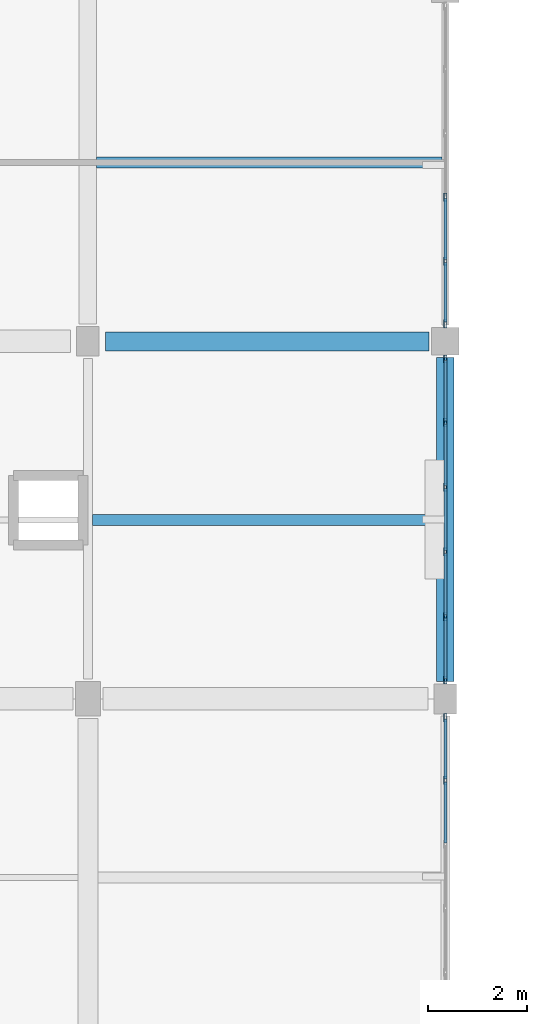
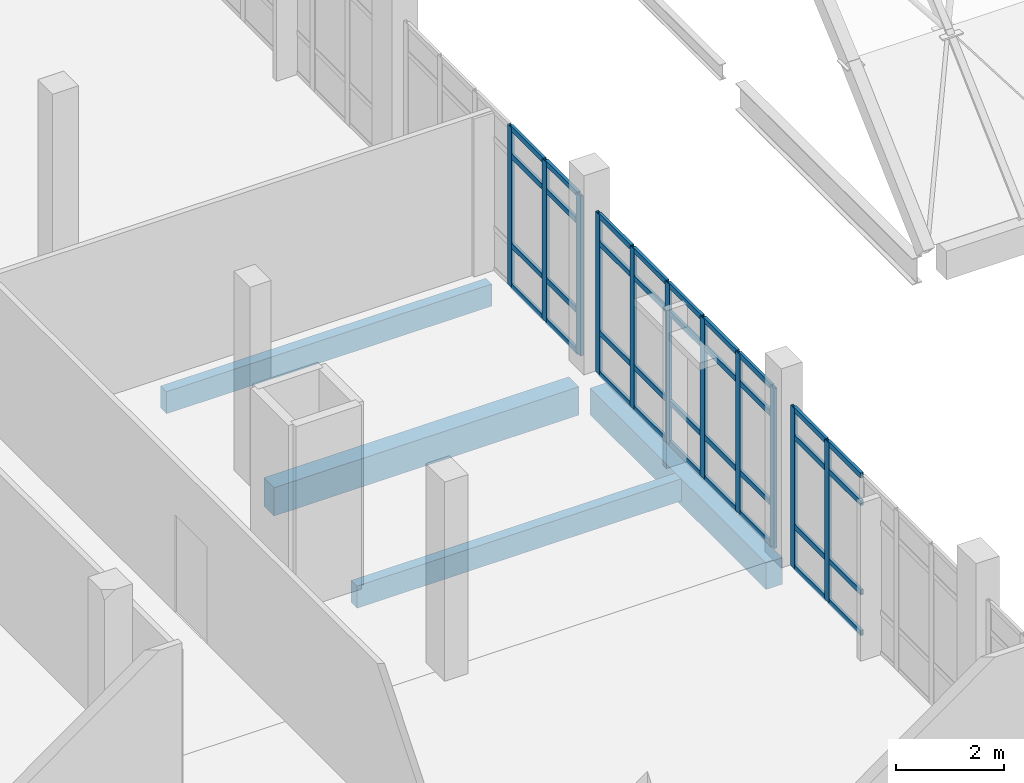
# One storey, part 21 of 87: 47 members, 4 beams, 3 elements without a shape of their own.
"""IFC4 building model written with IfcOpenShell, lengths in metres."""

import ifcopenshell
import ifcopenshell.guid

model = None  # the IFC model being written
_history = None  # IfcOwnerHistory: only IFC2X3 demands one
_inside = {}  # id of a spatial element -> (the spatial element, [elements in it])
_under = {}  # id of a project, library or spatial element -> (it, [spatial elements below it])
_declared = {}  # id of a project -> (the project, [libraries it declares])
_typed = {}  # id of a type object -> (the type object, [elements of that type])
_made_of = {}  # id of a material, layer set ... -> (it, [elements and type objects made of it])


def new_model(schema):
    """Start an empty IFC model of exactly this schema.

    Asked for "IFC4X3", IfcOpenShell would pick the latest addendum, in which some entities
    have other attributes; the version numbers below select the first issue.
    IFC2X3 requires an IfcOwnerHistory on every rooted entity: one is made here for all.
    """
    global model, _history
    if schema == "IFC4X3":
        model = ifcopenshell.file(schema_version=(4, 3, 0, 0))
    else:
        model = ifcopenshell.file(schema=schema)
    _inside.clear()
    _under.clear()
    _declared.clear()
    _typed.clear()
    _made_of.clear()
    _history = None
    if model.schema == "IFC2X3":
        org = make("IfcOrganization", Name="unknown")
        user = make(
            "IfcPersonAndOrganization",
            ThePerson=make("IfcPerson", FamilyName="unknown"),
            TheOrganization=org,
        )
        app = make(
            "IfcApplication",
            ApplicationDeveloper=org,
            Version="unknown",
            ApplicationFullName="unknown",
            ApplicationIdentifier="unknown",
        )
        _history = make(
            "IfcOwnerHistory",
            OwningUser=user,
            OwningApplication=app,
            ChangeAction="ADDED",
            CreationDate=0,
        )
    return model


def make(cls, **values):
    """One entity of the class cls with the attributes given. An attribute that is None is left unset."""
    return model.create_entity(
        cls, **{name: value for name, value in values.items() if value is not None}
    )


def rooted(cls, **values):
    """An entity with a GlobalId (a new one), such as an element, a storey or a relation."""
    return make(cls, GlobalId=ifcopenshell.guid.new(), OwnerHistory=_history, **values)


def si_unit(unit_type, name, prefix=None):
    """IfcSIUnit, for example si_unit("LENGTHUNIT", "METRE", prefix="MILLI")."""
    return make("IfcSIUnit", UnitType=unit_type, Prefix=prefix, Name=name)


def assignment(units):
    """IfcUnitAssignment: the units of a project."""
    return None if units is None else make("IfcUnitAssignment", Units=units)


def point(xyz):
    """IfcCartesianPoint."""
    return None if xyz is None else make("IfcCartesianPoint", Coordinates=xyz)


def direction(xyz):
    """IfcDirection."""
    return None if xyz is None else make("IfcDirection", DirectionRatios=xyz)


def frame(location, z_axis=None, x_axis=None):
    """IfcAxis2Placement3D, a coordinate frame: its origin and axes. An axis left out is left unset."""
    return make(
        "IfcAxis2Placement3D",
        Location=point(location),
        Axis=direction(z_axis),
        RefDirection=direction(x_axis),
    )


def frame_2d(location, x_axis=None):
    """IfcAxis2Placement2D, a coordinate frame in the plane: its origin and x axis."""
    return make(
        "IfcAxis2Placement2D", Location=point(location), RefDirection=direction(x_axis)
    )


def origin():
    """The frame at (0, 0, 0) with its axes left unset."""
    return frame((0.0, 0.0, 0.0))


def origin_2d():
    """The frame at (0, 0) in the plane with its x axis left unset."""
    return frame_2d((0.0, 0.0))


def place(relative_to, where):
    """IfcLocalPlacement: puts the frame where relative to a parent placement (None: the world)."""
    return make(
        "IfcLocalPlacement", PlacementRelTo=relative_to, RelativePlacement=where
    )


def context(
    kind, dimensions, precision=None, world=None, true_north=None, identifier=None
):
    """IfcGeometricRepresentationContext, for example the 3D "Model" context."""
    return make(
        "IfcGeometricRepresentationContext",
        ContextIdentifier=identifier,
        ContextType=kind,
        CoordinateSpaceDimension=dimensions,
        Precision=precision,
        WorldCoordinateSystem=world,
        TrueNorth=true_north,
    )


def subcontext(parent, identifier, kind, view, scale=None):
    """IfcGeometricRepresentationSubContext, for example "Body" below "Model"."""
    return make(
        "IfcGeometricRepresentationSubContext",
        ContextIdentifier=identifier,
        ContextType=kind,
        ParentContext=parent,
        TargetScale=scale,
        TargetView=view,
    )


def project(units=None, contexts=None):
    """IfcProject with its units and contexts."""
    return rooted(
        "IfcProject",
        Name="project",
        RepresentationContexts=contexts,
        UnitsInContext=assignment(units),
    )


def spatial(cls, under=None, at=None, **own):
    """A site, building, storey or space (cls), placed at a placement, below another one or the project."""
    s = rooted(cls, ObjectPlacement=at, **own)
    if under is not None:
        _under.setdefault(under.id(), (under, []))[1].append(s)
    return s


def profile(cls, at=None, kind="AREA", **sizes):
    """A parametric profile (cls). Its sizes go by their IFC names, for example OverallWidth=200.0."""
    return make(cls, ProfileType=kind, Position=at, **sizes)


def rectangle(**sizes):
    """IfcRectangleProfileDef."""
    return profile("IfcRectangleProfileDef", **sizes)


def hollow_rectangle(**sizes):
    """IfcRectangleHollowProfileDef."""
    return profile("IfcRectangleHollowProfileDef", **sizes)


def extrude(swept, where, along, depth):
    """IfcExtrudedAreaSolid: the profile swept, set in the frame where, extruded along a direction by depth."""
    return make(
        "IfcExtrudedAreaSolid",
        SweptArea=swept,
        Position=where,
        ExtrudedDirection=direction(along),
        Depth=depth,
    )


def shape(context_of_items, identifier, shape_type, items):
    """IfcShapeRepresentation: the items that make up one representation, for example the "Body"."""
    return make(
        "IfcShapeRepresentation",
        ContextOfItems=context_of_items,
        RepresentationIdentifier=identifier,
        RepresentationType=shape_type,
        Items=items,
    )


def material(Name=None, Category=None):
    """IfcMaterial."""
    return make("IfcMaterial", Name=Name, Category=Category)


def material_profile(
    of_material, cross_section, Name=None, Category=None, Priority=None
):
    """IfcMaterialProfile: a cross section and its material."""
    return make(
        "IfcMaterialProfile",
        Name=Name,
        Material=of_material,
        Profile=cross_section,
        Priority=Priority,
        Category=Category,
    )


def profile_set(profiles, Name=None, composite=None):
    """IfcMaterialProfileSet."""
    return make(
        "IfcMaterialProfileSet",
        Name=Name,
        MaterialProfiles=profiles,
        CompositeProfile=composite,
    )


def made_of(thing, what):
    """Note that an element or type object is made of a material, layer set ...; save() writes the relation."""
    if what is not None:
        _made_of.setdefault(what.id(), (what, []))[1].append(thing)
    return thing


def type_object(cls, material=None, **own):
    """A type object (cls), such as IfcWallType, which elements share."""
    return made_of(rooted(cls, **own), material)


def element(
    cls,
    number,
    at=None,
    inside=None,
    cuts=None,
    type_object=None,
    material=None,
    context=None,
    identifier="Body",
    shape_type=None,
    held_by="IfcProductDefinitionShape",
    body=None,
    shapes=None,
    **own,
):
    """One element of the class cls, such as IfcWall. Its Tag is "e" and its number.

    at: its placement. inside: the storey or other place that contains it. cuts: it is an
    opening in that element (IfcRelVoidsElement). A single representation is given by context,
    identifier, shape_type and body (its items); several are given by shapes. held_by: the class
    of the entity that holds the representations. save() writes the other relations.
    """
    e = rooted(cls, Tag="e%d" % number, ObjectPlacement=at, **own)
    if body is not None:
        shapes = [shape(context, identifier, shape_type, body)]
    if shapes is not None:
        e.Representation = make(held_by, Representations=shapes)
    if inside is not None:
        _inside.setdefault(inside.id(), (inside, []))[1].append(e)
    if cuts is not None:
        rooted(
            "IfcRelVoidsElement", RelatingBuildingElement=cuts, RelatedOpeningElement=e
        )
    if type_object is not None:
        _typed.setdefault(type_object.id(), (type_object, []))[1].append(e)
    return made_of(e, material)


def aggregate(whole, parts):
    """IfcRelAggregates: a whole, such as a stair, and the parts it consists of."""
    return rooted("IfcRelAggregates", RelatingObject=whole, RelatedObjects=parts)


def save(model, path):
    """Write the relations noted so far, then the file.

    IfcRelAggregates (storeys below a building ...), IfcRelContainedInSpatialStructure (elements
    in a storey), IfcRelDefinesByType, IfcRelAssociatesMaterial and IfcRelDeclares: one each for
    every whole, place, type object, material and project.
    """
    for whole, parts in _under.values():
        aggregate(whole, parts)
    for where, things in _inside.values():
        rooted(
            "IfcRelContainedInSpatialStructure",
            RelatedElements=things,
            RelatingStructure=where,
        )
    for kind, things in _typed.values():
        rooted("IfcRelDefinesByType", RelatedObjects=things, RelatingType=kind)
    for what, things in _made_of.values():
        rooted("IfcRelAssociatesMaterial", RelatedObjects=things, RelatingMaterial=what)
    for by, libraries in _declared.values():
        rooted("IfcRelDeclares", RelatingContext=by, RelatedDefinitions=libraries)
    model.write(path)


model = new_model("IFC4")

# Units and contexts
model_context = context("Model", 3, precision=1e-05, world=origin(), true_north=direction((0.0, 1.0)))
body_context = subcontext(model_context, "Body", "Model", "MODEL_VIEW")
ifc_project = project(units=[si_unit("LENGTHUNIT", "METRE"), si_unit("AREAUNIT", "SQUARE_METRE"), si_unit("VOLUMEUNIT", "CUBIC_METRE"), si_unit("PLANEANGLEUNIT", "RADIAN"), si_unit("MASSUNIT", "GRAM", prefix="KILO")], contexts=[model_context])

# Site, building, storey
site_placement = place(None, origin())
site = spatial("IfcSite", under=ifc_project, at=site_placement, CompositionType="ELEMENT")
building_placement = place(site_placement, origin())
building = spatial("IfcBuilding", under=site, at=building_placement, Name="Kalluvel Institute of Natural Sciences", CompositionType="ELEMENT")
storey_placement = place(building_placement, frame((0.0, 0.0, 18.89990234375)))
storey = spatial("IfcBuildingStorey", under=building, at=storey_placement, Name="L04", CompositionType="ELEMENT", Elevation=18.89990234375)

# Beams
ifc_material_1 = material(Name="Concrete M40", Category="concrete")
ifc_material_profile_1 = material_profile(ifc_material_1, rectangle(XDim=0.35009765625, YDim=0.60009765625, at=origin_2d()), Name="RCB 350x600")
ifc_profile_set_1 = profile_set([ifc_material_profile_1], Name="Concrete M40")
beam_type_1 = type_object("IfcBeamType", Name="BM-RC350x600", PredefinedType="BEAM", material=ifc_profile_set_1)
beam_1_placement = place(storey_placement, frame((35.60009765625, 64.75, -0.599853515625), z_axis=(0.0, 1.0, 0.0), x_axis=(-1.0, 0.0, 0.0)))
element("IfcBeam", 1, at=beam_1_placement, inside=storey, type_object=beam_type_1, Name="L04 girder GIR-L04-NS-X356-Y644", PredefinedType="BEAM", context=body_context, shape_type="SweptSolid", body=[
    extrude(rectangle(XDim=0.35009765625, YDim=0.60009765625, at=origin_2d()), origin(), (0.0, 0.0, 1.0), 6.52490234375),
])
ifc_material_profile_2 = material_profile(ifc_material_1, rectangle(XDim=0.3798828125, YDim=0.639892578125, at=origin_2d()), Name="RCB 380x640")
ifc_profile_set_2 = profile_set([ifc_material_profile_2], Name="Concrete M40")
beam_type_2 = type_object("IfcBeamType", Name="BM-RC380x640", PredefinedType="BEAM", material=ifc_profile_set_2)
beam_2_placement = place(storey_placement, frame((28.75, 71.60009765625, -0.619873046875), z_axis=(1.0, 0.0, 0.0), x_axis=(0.0, 1.0, 0.0)))
element("IfcBeam", 2, at=beam_2_placement, inside=storey, type_object=beam_type_2, Name="L04 girder GIR-L04-EW-X284-Y716", PredefinedType="BEAM", context=body_context, shape_type="SweptSolid", body=[
    extrude(rectangle(XDim=0.3798828125, YDim=0.639892578125, at=origin_2d()), origin(), (0.0, 0.0, 1.0), 6.52490234375),
])

# Curtain wall, members
ifc_material_2 = material(Name="Aluminium AW-6063 T6", Category="aluminium")
curtain_wall_type = type_object("IfcCurtainWallType", Name="CW-DRY-45", PredefinedType="USERDEFINED", material=ifc_material_2)
curtain_wall_1_placement = place(storey_placement, origin())
curtain_wall_1 = element("IfcCurtainWall", 3, at=curtain_wall_1_placement, inside=storey, type_object=curtain_wall_type, Name="L04 Gothic lancet curtain wall CWA-L04-X356-Y576", ObjectType="UNITISED LANCET FACADE", PredefinedType="USERDEFINED")
ifc_material_profile_3 = material_profile(ifc_material_2, hollow_rectangle(XDim=0.06005859375, YDim=0.159912109375, WallThickness=0.00390625, at=origin_2d()), Name="CWM 60x160")
ifc_profile_set_3 = profile_set([ifc_material_profile_3], Name="Aluminium AW-6063 T6")
member_type_1 = type_object("IfcMemberType", Name="CWM-60x160", PredefinedType="MULLION", material=ifc_profile_set_3)
member_1_placement = place(storey_placement, frame((35.60009765625, 62.760009765625, 0.0), z_axis=(0.0, 0.0, 1.0), x_axis=(-1.0, 0.0, 0.0)))
member_1 = element("IfcMember", 4, at=member_1_placement, type_object=member_type_1, Name="CW-03 mullion 5", PredefinedType="MULLION", context=body_context, shape_type="SweptSolid", body=[
    extrude(hollow_rectangle(XDim=0.06005859375, YDim=0.159912109375, WallThickness=0.00390625, at=origin_2d()), origin(), (0.0, 0.0, 1.0), 3.6201171875),
])
member_2_placement = place(storey_placement, frame((35.60009765625, 64.02001953125, 0.0), z_axis=(0.0, 0.0, 1.0), x_axis=(-1.0, 0.0, 0.0)))
member_2 = element("IfcMember", 5, at=member_2_placement, type_object=member_type_1, Name="CW-03 mullion 6", PredefinedType="MULLION", context=body_context, shape_type="SweptSolid", body=[
    extrude(hollow_rectangle(XDim=0.06005859375, YDim=0.159912109375, WallThickness=0.00390625, at=origin_2d()), origin(), (0.0, 0.0, 1.0), 3.6201171875),
])

curtain_wall_2_placement = place(storey_placement, origin())
curtain_wall_2 = element("IfcCurtainWall", 6, at=curtain_wall_2_placement, inside=storey, type_object=curtain_wall_type, Name="L04 Gothic lancet curtain wall CWA-L04-X356-Y648", ObjectType="UNITISED LANCET FACADE", PredefinedType="USERDEFINED")
member_3_placement = place(storey_placement, frame((35.60009765625, 64.780029296875, 0.0), z_axis=(0.0, 0.0, 1.0), x_axis=(-1.0, 0.0, 0.0)))
member_3 = element("IfcMember", 7, at=member_3_placement, type_object=member_type_1, Name="CW-03 mullion 1", PredefinedType="MULLION", context=body_context, shape_type="SweptSolid", body=[
    extrude(hollow_rectangle(XDim=0.06005859375, YDim=0.159912109375, WallThickness=0.00390625, at=origin_2d()), origin(), (0.0, 0.0, 1.0), 3.6201171875),
])
member_4_placement = place(storey_placement, frame((35.60009765625, 66.054931640625, 0.0), z_axis=(0.0, 0.0, 1.0), x_axis=(-1.0, 0.0, 0.0)))
member_4 = element("IfcMember", 8, at=member_4_placement, type_object=member_type_1, Name="CW-03 mullion 2", PredefinedType="MULLION", context=body_context, shape_type="SweptSolid", body=[
    extrude(hollow_rectangle(XDim=0.06005859375, YDim=0.159912109375, WallThickness=0.00390625, at=origin_2d()), origin(), (0.0, 0.0, 1.0), 3.6201171875),
])
member_5_placement = place(storey_placement, frame((35.60009765625, 67.360107421875, 0.0), z_axis=(0.0, 0.0, 1.0), x_axis=(-1.0, 0.0, 0.0)))
member_5 = element("IfcMember", 9, at=member_5_placement, type_object=member_type_1, Name="CW-03 mullion 3", PredefinedType="MULLION", context=body_context, shape_type="SweptSolid", body=[
    extrude(hollow_rectangle(XDim=0.06005859375, YDim=0.159912109375, WallThickness=0.00390625, at=origin_2d()), origin(), (0.0, 0.0, 1.0), 3.6201171875),
])
member_6_placement = place(storey_placement, frame((35.60009765625, 68.6650390625, 0.0), z_axis=(0.0, 0.0, 1.0), x_axis=(-1.0, 0.0, 0.0)))
member_6 = element("IfcMember", 10, at=member_6_placement, type_object=member_type_1, Name="CW-03 mullion 4", PredefinedType="MULLION", context=body_context, shape_type="SweptSolid", body=[
    extrude(hollow_rectangle(XDim=0.06005859375, YDim=0.159912109375, WallThickness=0.00390625, at=origin_2d()), origin(), (0.0, 0.0, 1.0), 3.6201171875),
])
member_7_placement = place(storey_placement, frame((35.60009765625, 69.969970703125, 0.0), z_axis=(0.0, 0.0, 1.0), x_axis=(-1.0, 0.0, 0.0)))
member_7 = element("IfcMember", 11, at=member_7_placement, type_object=member_type_1, Name="CW-03 mullion 5", PredefinedType="MULLION", context=body_context, shape_type="SweptSolid", body=[
    extrude(hollow_rectangle(XDim=0.06005859375, YDim=0.159912109375, WallThickness=0.00390625, at=origin_2d()), origin(), (0.0, 0.0, 1.0), 3.6201171875),
])
member_8_placement = place(storey_placement, frame((35.60009765625, 71.2451171875, 0.0), z_axis=(0.0, 0.0, 1.0), x_axis=(-1.0, 0.0, 0.0)))
member_8 = element("IfcMember", 12, at=member_8_placement, type_object=member_type_1, Name="CW-03 mullion 6", PredefinedType="MULLION", context=body_context, shape_type="SweptSolid", body=[
    extrude(hollow_rectangle(XDim=0.06005859375, YDim=0.159912109375, WallThickness=0.00390625, at=origin_2d()), origin(), (0.0, 0.0, 1.0), 3.6201171875),
])

curtain_wall_3_placement = place(storey_placement, origin())
curtain_wall_3 = element("IfcCurtainWall", 13, at=curtain_wall_3_placement, inside=storey, type_object=curtain_wall_type, Name="L04 Gothic lancet curtain wall CWA-L04-X356-Y719", ObjectType="UNITISED LANCET FACADE", PredefinedType="USERDEFINED")
member_9_placement = place(storey_placement, frame((35.60009765625, 71.955078125, 0.0), z_axis=(0.0, 0.0, 1.0), x_axis=(-1.0, 0.0, 0.0)))
member_9 = element("IfcMember", 14, at=member_9_placement, type_object=member_type_1, Name="CW-03 mullion 1", PredefinedType="MULLION", context=body_context, shape_type="SweptSolid", body=[
    extrude(hollow_rectangle(XDim=0.06005859375, YDim=0.159912109375, WallThickness=0.00390625, at=origin_2d()), origin(), (0.0, 0.0, 1.0), 3.6201171875),
])
member_10_placement = place(storey_placement, frame((35.60009765625, 73.215087890625, 0.0), z_axis=(0.0, 0.0, 1.0), x_axis=(-1.0, 0.0, 0.0)))
member_10 = element("IfcMember", 15, at=member_10_placement, type_object=member_type_1, Name="CW-03 mullion 2", PredefinedType="MULLION", context=body_context, shape_type="SweptSolid", body=[
    extrude(hollow_rectangle(XDim=0.06005859375, YDim=0.159912109375, WallThickness=0.00390625, at=origin_2d()), origin(), (0.0, 0.0, 1.0), 3.6201171875),
])
member_11_placement = place(storey_placement, frame((35.60009765625, 74.5048828125, 0.0), z_axis=(0.0, 0.0, 1.0), x_axis=(-1.0, 0.0, 0.0)))
member_11 = element("IfcMember", 16, at=member_11_placement, type_object=member_type_1, Name="CW-03 mullion 3", PredefinedType="MULLION", context=body_context, shape_type="SweptSolid", body=[
    extrude(hollow_rectangle(XDim=0.06005859375, YDim=0.159912109375, WallThickness=0.00390625, at=origin_2d()), origin(), (0.0, 0.0, 1.0), 3.6201171875),
])

# Member
ifc_material_profile_4 = material_profile(ifc_material_2, hollow_rectangle(XDim=0.06005859375, YDim=0.1201171875, WallThickness=0.00390625, at=origin_2d()), Name="CWT 60x120")
ifc_profile_set_4 = profile_set([ifc_material_profile_4], Name="Aluminium AW-6063 T6")
member_type_2 = type_object("IfcMemberType", Name="CWT-60x120", PredefinedType="USERDEFINED", material=ifc_profile_set_4)
member_12_placement = place(storey_placement, frame((35.60009765625, 61.5, 0.030029296875), z_axis=(0.0, 1.0, 0.0), x_axis=(-1.0, 0.0, 0.0)))
member_12 = element("IfcMember", 17, at=member_12_placement, type_object=member_type_2, Name="CW-03 transom 4.1", ObjectType="TRANSOM", PredefinedType="USERDEFINED", context=body_context, shape_type="SweptSolid", body=[
    extrude(hollow_rectangle(XDim=0.06005859375, YDim=0.1201171875, WallThickness=0.00390625, at=origin_2d()), origin(), (0.0, 0.0, 1.0), 1.22998046875),
])

member_13_placement = place(storey_placement, frame((35.60009765625, 61.5, 0.9501953125), z_axis=(0.0, 1.0, 0.0), x_axis=(-1.0, 0.0, 0.0)))
member_13 = element("IfcMember", 18, at=member_13_placement, type_object=member_type_2, Name="CW-03 transom 4.2", ObjectType="TRANSOM", PredefinedType="USERDEFINED", context=body_context, shape_type="SweptSolid", body=[
    extrude(hollow_rectangle(XDim=0.06005859375, YDim=0.1201171875, WallThickness=0.00390625, at=origin_2d()), origin(), (0.0, 0.0, 1.0), 1.22998046875),
])

member_14_placement = place(storey_placement, frame((35.60009765625, 61.5, 2.97021484375), z_axis=(0.0, 1.0, 0.0), x_axis=(-1.0, 0.0, 0.0)))
member_14 = element("IfcMember", 19, at=member_14_placement, type_object=member_type_2, Name="CW-03 transom 4.3", ObjectType="TRANSOM", PredefinedType="USERDEFINED", context=body_context, shape_type="SweptSolid", body=[
    extrude(hollow_rectangle(XDim=0.06005859375, YDim=0.1201171875, WallThickness=0.00390625, at=origin_2d()), origin(), (0.0, 0.0, 1.0), 1.22998046875),
])

member_15_placement = place(storey_placement, frame((35.60009765625, 61.5, 3.590087890625), z_axis=(0.0, 1.0, 0.0), x_axis=(-1.0, 0.0, 0.0)))
member_15 = element("IfcMember", 20, at=member_15_placement, type_object=member_type_2, Name="CW-03 transom 4.4", ObjectType="TRANSOM", PredefinedType="USERDEFINED", context=body_context, shape_type="SweptSolid", body=[
    extrude(hollow_rectangle(XDim=0.06005859375, YDim=0.1201171875, WallThickness=0.00390625, at=origin_2d()), origin(), (0.0, 0.0, 1.0), 1.22998046875),
])

member_16_placement = place(storey_placement, frame((35.60009765625, 62.7900390625, 0.030029296875), z_axis=(0.0, 1.0, 0.0), x_axis=(-1.0, 0.0, 0.0)))
member_16 = element("IfcMember", 21, at=member_16_placement, type_object=member_type_2, Name="CW-03 transom 5.1", ObjectType="TRANSOM", PredefinedType="USERDEFINED", context=body_context, shape_type="SweptSolid", body=[
    extrude(hollow_rectangle(XDim=0.06005859375, YDim=0.1201171875, WallThickness=0.00390625, at=origin_2d()), origin(), (0.0, 0.0, 1.0), 1.199951171875),
])

member_17_placement = place(storey_placement, frame((35.60009765625, 62.7900390625, 0.9501953125), z_axis=(0.0, 1.0, 0.0), x_axis=(-1.0, 0.0, 0.0)))
member_17 = element("IfcMember", 22, at=member_17_placement, type_object=member_type_2, Name="CW-03 transom 5.2", ObjectType="TRANSOM", PredefinedType="USERDEFINED", context=body_context, shape_type="SweptSolid", body=[
    extrude(hollow_rectangle(XDim=0.06005859375, YDim=0.1201171875, WallThickness=0.00390625, at=origin_2d()), origin(), (0.0, 0.0, 1.0), 1.199951171875),
])

member_18_placement = place(storey_placement, frame((35.60009765625, 62.7900390625, 2.97021484375), z_axis=(0.0, 1.0, 0.0), x_axis=(-1.0, 0.0, 0.0)))
member_18 = element("IfcMember", 23, at=member_18_placement, type_object=member_type_2, Name="CW-03 transom 5.3", ObjectType="TRANSOM", PredefinedType="USERDEFINED", context=body_context, shape_type="SweptSolid", body=[
    extrude(hollow_rectangle(XDim=0.06005859375, YDim=0.1201171875, WallThickness=0.00390625, at=origin_2d()), origin(), (0.0, 0.0, 1.0), 1.199951171875),
])

member_19_placement = place(storey_placement, frame((35.60009765625, 62.7900390625, 3.590087890625), z_axis=(0.0, 1.0, 0.0), x_axis=(-1.0, 0.0, 0.0)))
member_19 = element("IfcMember", 24, at=member_19_placement, type_object=member_type_2, Name="CW-03 transom 5.4", ObjectType="TRANSOM", PredefinedType="USERDEFINED", context=body_context, shape_type="SweptSolid", body=[
    extrude(hollow_rectangle(XDim=0.06005859375, YDim=0.1201171875, WallThickness=0.00390625, at=origin_2d()), origin(), (0.0, 0.0, 1.0), 1.199951171875),
])

aggregate(curtain_wall_1, [member_1, member_2, member_12, member_13, member_14, member_15, member_16, member_17, member_18, member_19])

member_20_placement = place(storey_placement, frame((35.60009765625, 64.81005859375, 0.030029296875), z_axis=(0.0, 1.0, 0.0), x_axis=(-1.0, 0.0, 0.0)))
member_20 = element("IfcMember", 25, at=member_20_placement, type_object=member_type_2, Name="CW-03 transom 1.1", ObjectType="TRANSOM", PredefinedType="USERDEFINED", context=body_context, shape_type="SweptSolid", body=[
    extrude(hollow_rectangle(XDim=0.06005859375, YDim=0.1201171875, WallThickness=0.00390625, at=origin_2d()), origin(), (0.0, 0.0, 1.0), 1.21484375),
])

member_21_placement = place(storey_placement, frame((35.60009765625, 64.81005859375, 0.9501953125), z_axis=(0.0, 1.0, 0.0), x_axis=(-1.0, 0.0, 0.0)))
member_21 = element("IfcMember", 26, at=member_21_placement, type_object=member_type_2, Name="CW-03 transom 1.2", ObjectType="TRANSOM", PredefinedType="USERDEFINED", context=body_context, shape_type="SweptSolid", body=[
    extrude(hollow_rectangle(XDim=0.06005859375, YDim=0.1201171875, WallThickness=0.00390625, at=origin_2d()), origin(), (0.0, 0.0, 1.0), 1.21484375),
])

member_22_placement = place(storey_placement, frame((35.60009765625, 64.81005859375, 2.97021484375), z_axis=(0.0, 1.0, 0.0), x_axis=(-1.0, 0.0, 0.0)))
member_22 = element("IfcMember", 27, at=member_22_placement, type_object=member_type_2, Name="CW-03 transom 1.3", ObjectType="TRANSOM", PredefinedType="USERDEFINED", context=body_context, shape_type="SweptSolid", body=[
    extrude(hollow_rectangle(XDim=0.06005859375, YDim=0.1201171875, WallThickness=0.00390625, at=origin_2d()), origin(), (0.0, 0.0, 1.0), 1.21484375),
])

member_23_placement = place(storey_placement, frame((35.60009765625, 64.81005859375, 3.590087890625), z_axis=(0.0, 1.0, 0.0), x_axis=(-1.0, 0.0, 0.0)))
member_23 = element("IfcMember", 28, at=member_23_placement, type_object=member_type_2, Name="CW-03 transom 1.4", ObjectType="TRANSOM", PredefinedType="USERDEFINED", context=body_context, shape_type="SweptSolid", body=[
    extrude(hollow_rectangle(XDim=0.06005859375, YDim=0.1201171875, WallThickness=0.00390625, at=origin_2d()), origin(), (0.0, 0.0, 1.0), 1.21484375),
])

member_24_placement = place(storey_placement, frame((35.60009765625, 66.0849609375, 0.030029296875), z_axis=(0.0, 1.0, 0.0), x_axis=(-1.0, 0.0, 0.0)))
member_24 = element("IfcMember", 29, at=member_24_placement, type_object=member_type_2, Name="CW-03 transom 2.1", ObjectType="TRANSOM", PredefinedType="USERDEFINED", context=body_context, shape_type="SweptSolid", body=[
    extrude(hollow_rectangle(XDim=0.06005859375, YDim=0.1201171875, WallThickness=0.00390625, at=origin_2d()), origin(), (0.0, 0.0, 1.0), 1.2451171875),
])

member_25_placement = place(storey_placement, frame((35.60009765625, 66.0849609375, 0.9501953125), z_axis=(0.0, 1.0, 0.0), x_axis=(-1.0, 0.0, 0.0)))
member_25 = element("IfcMember", 30, at=member_25_placement, type_object=member_type_2, Name="CW-03 transom 2.2", ObjectType="TRANSOM", PredefinedType="USERDEFINED", context=body_context, shape_type="SweptSolid", body=[
    extrude(hollow_rectangle(XDim=0.06005859375, YDim=0.1201171875, WallThickness=0.00390625, at=origin_2d()), origin(), (0.0, 0.0, 1.0), 1.2451171875),
])

member_26_placement = place(storey_placement, frame((35.60009765625, 66.0849609375, 2.97021484375), z_axis=(0.0, 1.0, 0.0), x_axis=(-1.0, 0.0, 0.0)))
member_26 = element("IfcMember", 31, at=member_26_placement, type_object=member_type_2, Name="CW-03 transom 2.3", ObjectType="TRANSOM", PredefinedType="USERDEFINED", context=body_context, shape_type="SweptSolid", body=[
    extrude(hollow_rectangle(XDim=0.06005859375, YDim=0.1201171875, WallThickness=0.00390625, at=origin_2d()), origin(), (0.0, 0.0, 1.0), 1.2451171875),
])

member_27_placement = place(storey_placement, frame((35.60009765625, 66.0849609375, 3.590087890625), z_axis=(0.0, 1.0, 0.0), x_axis=(-1.0, 0.0, 0.0)))
member_27 = element("IfcMember", 32, at=member_27_placement, type_object=member_type_2, Name="CW-03 transom 2.4", ObjectType="TRANSOM", PredefinedType="USERDEFINED", context=body_context, shape_type="SweptSolid", body=[
    extrude(hollow_rectangle(XDim=0.06005859375, YDim=0.1201171875, WallThickness=0.00390625, at=origin_2d()), origin(), (0.0, 0.0, 1.0), 1.2451171875),
])

member_28_placement = place(storey_placement, frame((35.60009765625, 67.389892578125, 0.030029296875), z_axis=(0.0, 1.0, 0.0), x_axis=(-1.0, 0.0, 0.0)))
member_28 = element("IfcMember", 33, at=member_28_placement, type_object=member_type_2, Name="CW-03 transom 3.1", ObjectType="TRANSOM", PredefinedType="USERDEFINED", context=body_context, shape_type="SweptSolid", body=[
    extrude(hollow_rectangle(XDim=0.06005859375, YDim=0.1201171875, WallThickness=0.00390625, at=origin_2d()), origin(), (0.0, 0.0, 1.0), 1.2451171875),
])

member_29_placement = place(storey_placement, frame((35.60009765625, 67.389892578125, 0.9501953125), z_axis=(0.0, 1.0, 0.0), x_axis=(-1.0, 0.0, 0.0)))
member_29 = element("IfcMember", 34, at=member_29_placement, type_object=member_type_2, Name="CW-03 transom 3.2", ObjectType="TRANSOM", PredefinedType="USERDEFINED", context=body_context, shape_type="SweptSolid", body=[
    extrude(hollow_rectangle(XDim=0.06005859375, YDim=0.1201171875, WallThickness=0.00390625, at=origin_2d()), origin(), (0.0, 0.0, 1.0), 1.2451171875),
])

member_30_placement = place(storey_placement, frame((35.60009765625, 67.389892578125, 2.97021484375), z_axis=(0.0, 1.0, 0.0), x_axis=(-1.0, 0.0, 0.0)))
member_30 = element("IfcMember", 35, at=member_30_placement, type_object=member_type_2, Name="CW-03 transom 3.3", ObjectType="TRANSOM", PredefinedType="USERDEFINED", context=body_context, shape_type="SweptSolid", body=[
    extrude(hollow_rectangle(XDim=0.06005859375, YDim=0.1201171875, WallThickness=0.00390625, at=origin_2d()), origin(), (0.0, 0.0, 1.0), 1.2451171875),
])

member_31_placement = place(storey_placement, frame((35.60009765625, 67.389892578125, 3.590087890625), z_axis=(0.0, 1.0, 0.0), x_axis=(-1.0, 0.0, 0.0)))
member_31 = element("IfcMember", 36, at=member_31_placement, type_object=member_type_2, Name="CW-03 transom 3.4", ObjectType="TRANSOM", PredefinedType="USERDEFINED", context=body_context, shape_type="SweptSolid", body=[
    extrude(hollow_rectangle(XDim=0.06005859375, YDim=0.1201171875, WallThickness=0.00390625, at=origin_2d()), origin(), (0.0, 0.0, 1.0), 1.2451171875),
])

member_32_placement = place(storey_placement, frame((35.60009765625, 68.695068359375, 0.030029296875), z_axis=(0.0, 1.0, 0.0), x_axis=(-1.0, 0.0, 0.0)))
member_32 = element("IfcMember", 37, at=member_32_placement, type_object=member_type_2, Name="CW-03 transom 4.1", ObjectType="TRANSOM", PredefinedType="USERDEFINED", context=body_context, shape_type="SweptSolid", body=[
    extrude(hollow_rectangle(XDim=0.06005859375, YDim=0.1201171875, WallThickness=0.00390625, at=origin_2d()), origin(), (0.0, 0.0, 1.0), 1.244873046875),
])

member_33_placement = place(storey_placement, frame((35.60009765625, 68.695068359375, 0.9501953125), z_axis=(0.0, 1.0, 0.0), x_axis=(-1.0, 0.0, 0.0)))
member_33 = element("IfcMember", 38, at=member_33_placement, type_object=member_type_2, Name="CW-03 transom 4.2", ObjectType="TRANSOM", PredefinedType="USERDEFINED", context=body_context, shape_type="SweptSolid", body=[
    extrude(hollow_rectangle(XDim=0.06005859375, YDim=0.1201171875, WallThickness=0.00390625, at=origin_2d()), origin(), (0.0, 0.0, 1.0), 1.244873046875),
])

member_34_placement = place(storey_placement, frame((35.60009765625, 68.695068359375, 2.97021484375), z_axis=(0.0, 1.0, 0.0), x_axis=(-1.0, 0.0, 0.0)))
member_34 = element("IfcMember", 39, at=member_34_placement, type_object=member_type_2, Name="CW-03 transom 4.3", ObjectType="TRANSOM", PredefinedType="USERDEFINED", context=body_context, shape_type="SweptSolid", body=[
    extrude(hollow_rectangle(XDim=0.06005859375, YDim=0.1201171875, WallThickness=0.00390625, at=origin_2d()), origin(), (0.0, 0.0, 1.0), 1.244873046875),
])

member_35_placement = place(storey_placement, frame((35.60009765625, 68.695068359375, 3.590087890625), z_axis=(0.0, 1.0, 0.0), x_axis=(-1.0, 0.0, 0.0)))
member_35 = element("IfcMember", 40, at=member_35_placement, type_object=member_type_2, Name="CW-03 transom 4.4", ObjectType="TRANSOM", PredefinedType="USERDEFINED", context=body_context, shape_type="SweptSolid", body=[
    extrude(hollow_rectangle(XDim=0.06005859375, YDim=0.1201171875, WallThickness=0.00390625, at=origin_2d()), origin(), (0.0, 0.0, 1.0), 1.244873046875),
])

member_36_placement = place(storey_placement, frame((35.60009765625, 70.0, 0.030029296875), z_axis=(0.0, 1.0, 0.0), x_axis=(-1.0, 0.0, 0.0)))
member_36 = element("IfcMember", 41, at=member_36_placement, type_object=member_type_2, Name="CW-03 transom 5.1", ObjectType="TRANSOM", PredefinedType="USERDEFINED", context=body_context, shape_type="SweptSolid", body=[
    extrude(hollow_rectangle(XDim=0.06005859375, YDim=0.1201171875, WallThickness=0.00390625, at=origin_2d()), origin(), (0.0, 0.0, 1.0), 1.215087890625),
])

member_37_placement = place(storey_placement, frame((35.60009765625, 70.0, 0.9501953125), z_axis=(0.0, 1.0, 0.0), x_axis=(-1.0, 0.0, 0.0)))
member_37 = element("IfcMember", 42, at=member_37_placement, type_object=member_type_2, Name="CW-03 transom 5.2", ObjectType="TRANSOM", PredefinedType="USERDEFINED", context=body_context, shape_type="SweptSolid", body=[
    extrude(hollow_rectangle(XDim=0.06005859375, YDim=0.1201171875, WallThickness=0.00390625, at=origin_2d()), origin(), (0.0, 0.0, 1.0), 1.215087890625),
])

member_38_placement = place(storey_placement, frame((35.60009765625, 70.0, 2.97021484375), z_axis=(0.0, 1.0, 0.0), x_axis=(-1.0, 0.0, 0.0)))
member_38 = element("IfcMember", 43, at=member_38_placement, type_object=member_type_2, Name="CW-03 transom 5.3", ObjectType="TRANSOM", PredefinedType="USERDEFINED", context=body_context, shape_type="SweptSolid", body=[
    extrude(hollow_rectangle(XDim=0.06005859375, YDim=0.1201171875, WallThickness=0.00390625, at=origin_2d()), origin(), (0.0, 0.0, 1.0), 1.215087890625),
])

member_39_placement = place(storey_placement, frame((35.60009765625, 70.0, 3.590087890625), z_axis=(0.0, 1.0, 0.0), x_axis=(-1.0, 0.0, 0.0)))
member_39 = element("IfcMember", 44, at=member_39_placement, type_object=member_type_2, Name="CW-03 transom 5.4", ObjectType="TRANSOM", PredefinedType="USERDEFINED", context=body_context, shape_type="SweptSolid", body=[
    extrude(hollow_rectangle(XDim=0.06005859375, YDim=0.1201171875, WallThickness=0.00390625, at=origin_2d()), origin(), (0.0, 0.0, 1.0), 1.215087890625),
])

aggregate(curtain_wall_2, [member_3, member_4, member_5, member_6, member_7, member_8, member_20, member_21, member_22, member_23, member_24, member_25, member_26, member_27, member_28, member_29, member_30, member_31, member_32, member_33, member_34, member_35, member_36, member_37, member_38, member_39])

member_40_placement = place(storey_placement, frame((35.60009765625, 71.985107421875, 0.030029296875), z_axis=(0.0, 1.0, 0.0), x_axis=(-1.0, 0.0, 0.0)))
member_40 = element("IfcMember", 45, at=member_40_placement, type_object=member_type_2, Name="CW-03 transom 1.1", ObjectType="TRANSOM", PredefinedType="USERDEFINED", context=body_context, shape_type="SweptSolid", body=[
    extrude(hollow_rectangle(XDim=0.06005859375, YDim=0.1201171875, WallThickness=0.00390625, at=origin_2d()), origin(), (0.0, 0.0, 1.0), 1.199951171875),
])

member_41_placement = place(storey_placement, frame((35.60009765625, 71.985107421875, 0.9501953125), z_axis=(0.0, 1.0, 0.0), x_axis=(-1.0, 0.0, 0.0)))
member_41 = element("IfcMember", 46, at=member_41_placement, type_object=member_type_2, Name="CW-03 transom 1.2", ObjectType="TRANSOM", PredefinedType="USERDEFINED", context=body_context, shape_type="SweptSolid", body=[
    extrude(hollow_rectangle(XDim=0.06005859375, YDim=0.1201171875, WallThickness=0.00390625, at=origin_2d()), origin(), (0.0, 0.0, 1.0), 1.199951171875),
])

member_42_placement = place(storey_placement, frame((35.60009765625, 71.985107421875, 2.97021484375), z_axis=(0.0, 1.0, 0.0), x_axis=(-1.0, 0.0, 0.0)))
member_42 = element("IfcMember", 47, at=member_42_placement, type_object=member_type_2, Name="CW-03 transom 1.3", ObjectType="TRANSOM", PredefinedType="USERDEFINED", context=body_context, shape_type="SweptSolid", body=[
    extrude(hollow_rectangle(XDim=0.06005859375, YDim=0.1201171875, WallThickness=0.00390625, at=origin_2d()), origin(), (0.0, 0.0, 1.0), 1.199951171875),
])

member_43_placement = place(storey_placement, frame((35.60009765625, 71.985107421875, 3.590087890625), z_axis=(0.0, 1.0, 0.0), x_axis=(-1.0, 0.0, 0.0)))
member_43 = element("IfcMember", 48, at=member_43_placement, type_object=member_type_2, Name="CW-03 transom 1.4", ObjectType="TRANSOM", PredefinedType="USERDEFINED", context=body_context, shape_type="SweptSolid", body=[
    extrude(hollow_rectangle(XDim=0.06005859375, YDim=0.1201171875, WallThickness=0.00390625, at=origin_2d()), origin(), (0.0, 0.0, 1.0), 1.199951171875),
])

member_44_placement = place(storey_placement, frame((35.60009765625, 73.2451171875, 0.030029296875), z_axis=(0.0, 1.0, 0.0), x_axis=(-1.0, 0.0, 0.0)))
member_44 = element("IfcMember", 49, at=member_44_placement, type_object=member_type_2, Name="CW-03 transom 2.1", ObjectType="TRANSOM", PredefinedType="USERDEFINED", context=body_context, shape_type="SweptSolid", body=[
    extrude(hollow_rectangle(XDim=0.06005859375, YDim=0.1201171875, WallThickness=0.00390625, at=origin_2d()), origin(), (0.0, 0.0, 1.0), 1.22998046875),
])

member_45_placement = place(storey_placement, frame((35.60009765625, 73.2451171875, 0.9501953125), z_axis=(0.0, 1.0, 0.0), x_axis=(-1.0, 0.0, 0.0)))
member_45 = element("IfcMember", 50, at=member_45_placement, type_object=member_type_2, Name="CW-03 transom 2.2", ObjectType="TRANSOM", PredefinedType="USERDEFINED", context=body_context, shape_type="SweptSolid", body=[
    extrude(hollow_rectangle(XDim=0.06005859375, YDim=0.1201171875, WallThickness=0.00390625, at=origin_2d()), origin(), (0.0, 0.0, 1.0), 1.22998046875),
])

member_46_placement = place(storey_placement, frame((35.60009765625, 73.2451171875, 2.97021484375), z_axis=(0.0, 1.0, 0.0), x_axis=(-1.0, 0.0, 0.0)))
member_46 = element("IfcMember", 51, at=member_46_placement, type_object=member_type_2, Name="CW-03 transom 2.3", ObjectType="TRANSOM", PredefinedType="USERDEFINED", context=body_context, shape_type="SweptSolid", body=[
    extrude(hollow_rectangle(XDim=0.06005859375, YDim=0.1201171875, WallThickness=0.00390625, at=origin_2d()), origin(), (0.0, 0.0, 1.0), 1.22998046875),
])

member_47_placement = place(storey_placement, frame((35.60009765625, 73.2451171875, 3.590087890625), z_axis=(0.0, 1.0, 0.0), x_axis=(-1.0, 0.0, 0.0)))
member_47 = element("IfcMember", 52, at=member_47_placement, type_object=member_type_2, Name="CW-03 transom 2.4", ObjectType="TRANSOM", PredefinedType="USERDEFINED", context=body_context, shape_type="SweptSolid", body=[
    extrude(hollow_rectangle(XDim=0.06005859375, YDim=0.1201171875, WallThickness=0.00390625, at=origin_2d()), origin(), (0.0, 0.0, 1.0), 1.22998046875),
])

aggregate(curtain_wall_3, [member_9, member_10, member_11, member_40, member_41, member_42, member_43, member_44, member_45, member_46, member_47])

# Beams
ifc_material_profile_5 = material_profile(ifc_material_1, rectangle(XDim=0.219970703125, YDim=0.5, at=origin_2d()), Name="WAF 220x500")
ifc_profile_set_5 = profile_set([ifc_material_profile_5], Name="Concrete M40")
beam_type_3 = type_object("IfcBeamType", Name="WJ-220x500", PredefinedType="JOIST", material=ifc_profile_set_5)
beam_3_placement = place(storey_placement, frame((28.489990234375, 68.0, -0.5498046875), z_axis=(1.0, 0.0, 0.0), x_axis=(0.0, 1.0, 0.0)))
element("IfcBeam", 53, at=beam_3_placement, inside=storey, type_object=beam_type_3, Name="L04 floor rib RIB-L04-0727", PredefinedType="JOIST", context=body_context, shape_type="SweptSolid", body=[
    extrude(rectangle(XDim=0.219970703125, YDim=0.5, at=origin_2d()), origin(), (0.0, 0.0, 1.0), 6.93505859375),
])
beam_4_placement = place(storey_placement, frame((28.574951171875, 75.199951171875, -0.5498046875), z_axis=(1.0, 0.0, 0.0), x_axis=(0.0, 1.0, 0.0)))
element("IfcBeam", 54, at=beam_4_placement, inside=storey, type_object=beam_type_3, Name="L04 floor rib RIB-L04-0730", PredefinedType="JOIST", context=body_context, shape_type="SweptSolid", body=[
    extrude(rectangle(XDim=0.219970703125, YDim=0.5, at=origin_2d()), origin(), (0.0, 0.0, 1.0), 6.955078125),
])

save(model, "model.ifc")
